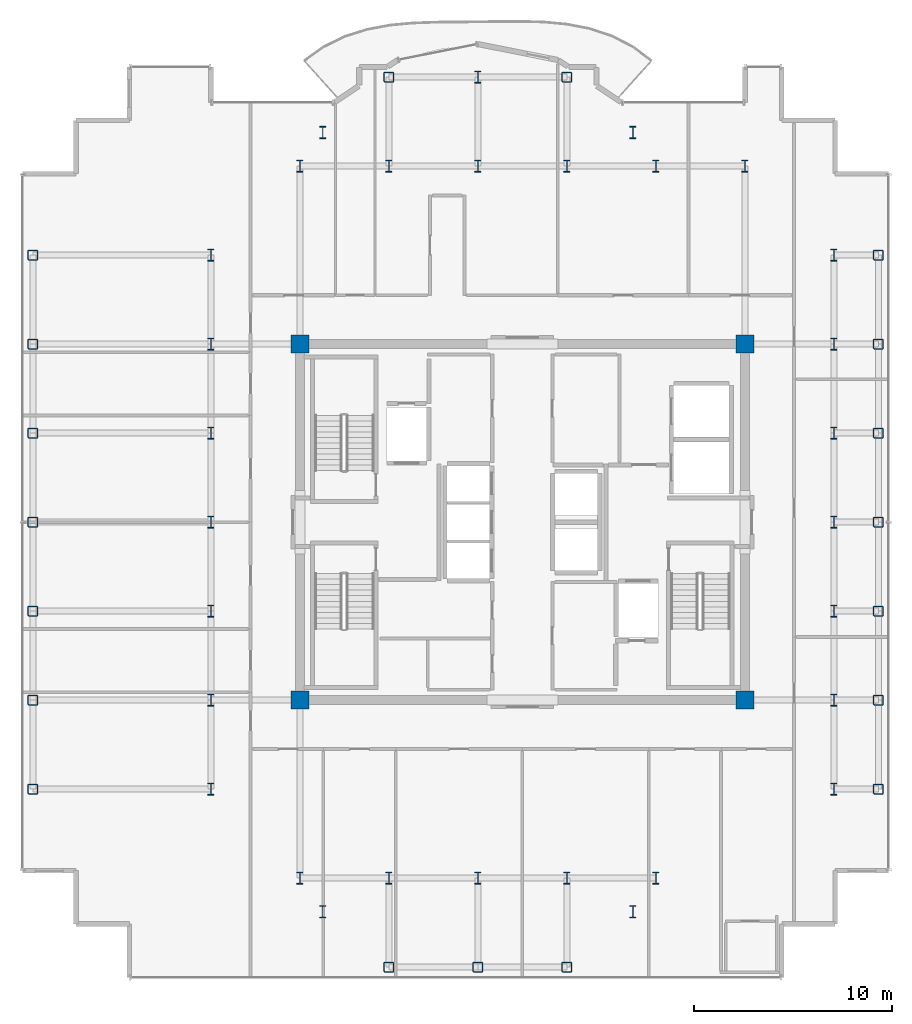
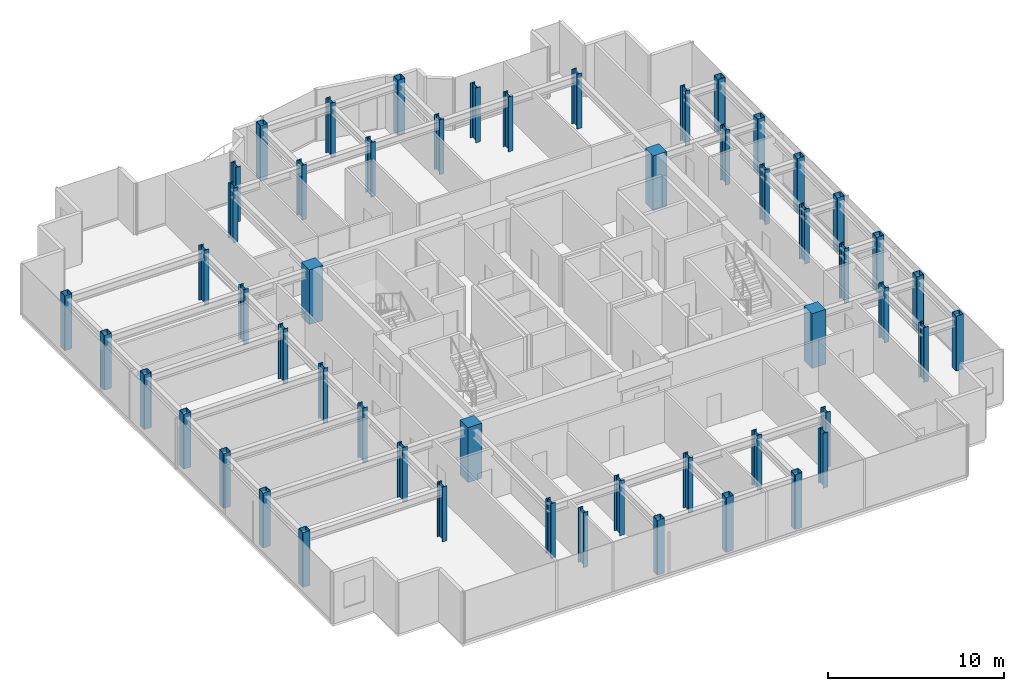
# One storey, part 1 of 18: 53 columns.
"""IFC4 building model written with IfcOpenShell, lengths in metres."""

from ifc_helpers import new_model, si_unit, direction, frame, origin, origin_2d, place, context, subcontext, project, spatial, rectangle, hollow_rectangle, i_section, extrude, source, transform, mapped, material, material_profile, profile_set, type_object, element, save


model = new_model("IFC4")

# Units and contexts
model_context = context("Model", 3, precision=1e-05, world=origin(), true_north=direction((0.0, 1.0)))
body_context = subcontext(model_context, "Body", "Model", "MODEL_VIEW")
ifc_project = project(units=[si_unit("LENGTHUNIT", "METRE"), si_unit("AREAUNIT", "SQUARE_METRE"), si_unit("VOLUMEUNIT", "CUBIC_METRE"), si_unit("PLANEANGLEUNIT", "RADIAN"), si_unit("MASSUNIT", "GRAM", prefix="KILO")], contexts=[model_context])

# Site, building, storey
site_placement = place(None, origin())
site = spatial("IfcSite", under=ifc_project, at=site_placement, CompositionType="ELEMENT")
building_placement = place(site_placement, origin())
building = spatial("IfcBuilding", under=site, at=building_placement, Name="Nefas-Gora Pilgrimage Tower", CompositionType="ELEMENT")
storey_placement = place(building_placement, frame((0.0, 0.0, 306.39990234375)))
storey = spatial("IfcBuildingStorey", under=building, at=storey_placement, Name="L77", CompositionType="ELEMENT", Elevation=306.39990234375)

# Columns
ifc_material_1 = material(Name="Steel S355", Category="steel")
ifc_material_profile_1 = material_profile(ifc_material_1, i_section(OverallWidth=0.304931640625, OverallDepth=0.6201171875, WebThickness=0.02099609375, FlangeThickness=0.0400390625, FilletRadius=0.027099609375, at=origin_2d()), Name="HEM 600")
ifc_profile_set_1 = profile_set([ifc_material_profile_1], Name="Steel S355")
column_type_1 = type_object("IfcColumnType", Name="COL-WEB-HEM600", PredefinedType="COLUMN", material=ifc_profile_set_1)
shared_shape_1 = source(origin(), body_context, "Body", "SweptSolid", [
    extrude(i_section(OverallWidth=0.304931640625, OverallDepth=0.6201171875, WebThickness=0.02099609375, FlangeThickness=0.0400390625, FilletRadius=0.027099609375, at=origin_2d()), origin(), (0.0, 0.0, 1.0), 3.800048828125),
])
for number, where, z_axis, x_axis, name in (
    (1, (-15.75, -13.5, 0.0), (0.0, 0.0, 1.0), (1.0, 0.0, 0.0), "L77 Tower Column CW-03.8"),
    (2, (-15.75, -9.0, 0.0), (0.0, 0.0, 1.0), (1.0, 0.0, 0.0), "L77 Tower Column CW-03.9"),
    (3, (-15.75, -4.5, 0.0), (0.0, 0.0, 1.0), (1.0, 0.0, 0.0), "L77 Tower Column CW-03.10"),
    (4, (-15.75, 0.0, 0.0), (0.0, 0.0, 1.0), (1.0, 0.0, 0.0), "L77 Tower Column CW-03.11"),
    (5, (-15.75, 4.5, 0.0), (0.0, 0.0, 1.0), (1.0, 0.0, 0.0), "L77 Tower Column CW-03.12"),
    (6, (-15.75, 9.0, 0.0), (0.0, 0.0, 1.0), (1.0, 0.0, 0.0), "L77 Tower Column CW-03.13"),
    (7, (-15.75, 13.5, 0.0), (0.0, 0.0, 1.0), (1.0, 0.0, 0.0), "L77 Tower Column CW-03.14"),
    (8, (-11.25, -18.0, 0.0), (0.0, 0.0, 1.0), (1.0, 0.0, 0.0), "L77 Tower Column CW-03.15"),
    (9, (-11.25, 18.0, 0.0), (0.0, 0.0, 1.0), (1.0, 0.0, 0.0), "L77 Tower Column CW-03.18"),
    (10, (-10.091064453125, -19.696044921875, 0.0), (0.0, 0.0, 1.0), (1.0, 0.0, 0.0), "L77 Tower Column CW-03.19"),
    (11, (-10.091064453125, 19.696044921875, 0.0), (0.0, 0.0, 1.0), (1.0, 0.0, 0.0), "L77 Tower Column CW-03.20"),
    (12, (-6.75, -18.0, 0.0), (0.0, 0.0, 1.0), (1.0, 0.0, 0.0), "L77 Tower Column CW-03.22"),
    (13, (-6.75, 18.0, 0.0), (0.0, 0.0, 1.0), (1.0, 0.0, 0.0), "L77 Tower Column CW-03.23"),
    (14, (-2.25, -18.0, 0.0), (0.0, 0.0, 1.0), (1.0, 0.0, 0.0), "L77 Tower Column CW-03.26"),
    (15, (-2.25, 18.0, 0.0), (0.0, 0.0, 1.0), (1.0, 0.0, 0.0), "L77 Tower Column CW-03.27"),
    (16, (-2.25, 22.5, 0.0), (0.0, 0.0, 1.0), (1.0, 0.0, 0.0), "L77 Tower Column CW-03.28"),
    (17, (2.25, -18.0, 0.0), (0.0, 0.0, 1.0), (1.0, 0.0, 0.0), "L77 Tower Column CW-03.30"),
    (18, (2.25, 18.0, 0.0), (0.0, 0.0, 1.0), (1.0, 0.0, 0.0), "L77 Tower Column CW-03.31"),
    (19, (5.591064453125, -19.696044921875, 0.0), (0.0, 0.0, 1.0), (1.0, 0.0, 0.0), "L77 Tower Column CW-03.33"),
    (20, (5.591064453125, 19.696044921875, 0.0), (0.0, 0.0, 1.0), (1.0, 0.0, 0.0), "L77 Tower Column CW-03.34"),
    (21, (6.75, -18.0, 0.0), (0.0, 0.0, 1.0), (1.0, 0.0, 0.0), "L77 Tower Column CW-03.35"),
    (22, (6.75, 18.0, 0.0), (0.0, 0.0, 1.0), (1.0, 0.0, 0.0), "L77 Tower Column CW-03.36"),
    (23, (11.25, 18.0, 0.0), (0.0, 0.0, 1.0), (1.0, 0.0, 0.0), "L77 Tower Column CW-03.39"),
    (24, (15.75, -13.5, 0.0), (0.0, 0.0, 1.0), (1.0, 0.0, 0.0), "L77 Tower Column CW-03.40"),
    (25, (15.75, -9.0, 0.0), (0.0, 0.0, 1.0), (1.0, 0.0, 0.0), "L77 Tower Column CW-03.41"),
    (26, (15.75, -4.5, 0.0), (0.0, 0.0, 1.0), (1.0, 0.0, 0.0), "L77 Tower Column CW-03.42"),
    (27, (15.75, 0.0, 0.0), (0.0, 0.0, 1.0), (1.0, 0.0, 0.0), "L77 Tower Column CW-03.43"),
    (28, (15.75, 4.5, 0.0), (0.0, 0.0, 1.0), (1.0, 0.0, 0.0), "L77 Tower Column CW-03.44"),
    (29, (15.75, 9.0, 0.0), (0.0, 0.0, 1.0), (1.0, 0.0, 0.0), "L77 Tower Column CW-03.45"),
    (30, (15.75, 13.5, 0.0), (0.0, 0.0, 1.0), (1.0, 0.0, 0.0), "L77 Tower Column CW-03.46"),
):
    element("IfcColumn", number, at=place(storey_placement, frame(where, z_axis=z_axis, x_axis=x_axis)), inside=storey, type_object=column_type_1, Name=name, PredefinedType="COLUMN", context=body_context, shape_type="MappedRepresentation", body=[
        mapped(shared_shape_1, transform((0.0, 0.0, 0.0), x_axis=(1.0, 0.0, 0.0), y_axis=(0.0, 1.0, 0.0), z_axis=(0.0, 0.0, 1.0), scale=1.0)),
    ])
ifc_material_profile_2 = material_profile(ifc_material_1, hollow_rectangle(XDim=0.5, YDim=0.5, WallThickness=0.02490234375, InnerFilletRadius=0.02490234375, OuterFilletRadius=0.050048828125, at=origin_2d()), Name="SHS 500x500x25")
ifc_profile_set_2 = profile_set([ifc_material_profile_2], Name="Steel S355")
column_type_2 = type_object("IfcColumnType", Name="COL-TUBE-500", PredefinedType="COLUMN", material=ifc_profile_set_2)
shared_shape_2 = source(origin(), body_context, "Body", "SweptSolid", [
    extrude(hollow_rectangle(XDim=0.5, YDim=0.5, WallThickness=0.02490234375, InnerFilletRadius=0.02490234375, OuterFilletRadius=0.050048828125, at=origin_2d()), origin(), (0.0, 0.0, 1.0), 3.800048828125),
])
for number, where, z_axis, x_axis, name in (
    (31, (-24.75, -13.5, 0.0), (0.0, 0.0, 1.0), (1.0, 0.0, 0.0), "L77 Tower Column C-Z4.1"),
    (32, (-24.75, -9.0, 0.0), (0.0, 0.0, 1.0), (1.0, 0.0, 0.0), "L77 Tower Column C-Z4.2"),
    (33, (-24.75, -4.5, 0.0), (0.0, 0.0, 1.0), (1.0, 0.0, 0.0), "L77 Tower Column C-Z4.3"),
    (34, (-24.75, 0.0, 0.0), (0.0, 0.0, 1.0), (1.0, 0.0, 0.0), "L77 Tower Column C-Z4.4"),
    (35, (-24.75, 4.5, 0.0), (0.0, 0.0, 1.0), (1.0, 0.0, 0.0), "L77 Tower Column C-Z4.5"),
    (36, (-24.75, 9.0, 0.0), (0.0, 0.0, 1.0), (1.0, 0.0, 0.0), "L77 Tower Column C-Z4.6"),
    (37, (-24.75, 13.5, 0.0), (0.0, 0.0, 1.0), (1.0, 0.0, 0.0), "L77 Tower Column C-Z4.7"),
    (38, (-6.75, -22.5, 0.0), (0.0, 0.0, 1.0), (1.0, 0.0, 0.0), "L77 Tower Column C-Z4.21"),
    (39, (-6.75, 22.5, 0.0), (0.0, 0.0, 1.0), (1.0, 0.0, 0.0), "L77 Tower Column C-Z4.24"),
    (40, (-2.25, -22.5, 0.0), (0.0, 0.0, 1.0), (1.0, 0.0, 0.0), "L77 Tower Column C-Z4.25"),
    (41, (2.25, -22.5, 0.0), (0.0, 0.0, 1.0), (1.0, 0.0, 0.0), "L77 Tower Column C-Z4.29"),
    (42, (2.25, 22.5, 0.0), (0.0, 0.0, 1.0), (1.0, 0.0, 0.0), "L77 Tower Column C-Z4.32"),
    (43, (18.0, -13.5, 0.0), (0.0, 0.0, 1.0), (1.0, 0.0, 0.0), "L77 Tower Column C-Z4.47"),
    (44, (18.0, -9.0, 0.0), (0.0, 0.0, 1.0), (1.0, 0.0, 0.0), "L77 Tower Column C-Z4.48"),
    (45, (18.0, -4.5, 0.0), (0.0, 0.0, 1.0), (1.0, 0.0, 0.0), "L77 Tower Column C-Z4.49"),
    (46, (18.0, 0.0, 0.0), (0.0, 0.0, 1.0), (1.0, 0.0, 0.0), "L77 Tower Column C-Z4.50"),
    (47, (18.0, 4.5, 0.0), (0.0, 0.0, 1.0), (1.0, 0.0, 0.0), "L77 Tower Column C-Z4.51"),
    (48, (18.0, 9.0, 0.0), (0.0, 0.0, 1.0), (1.0, 0.0, 0.0), "L77 Tower Column C-Z4.52"),
    (49, (18.0, 13.5, 0.0), (0.0, 0.0, 1.0), (1.0, 0.0, 0.0), "L77 Tower Column C-Z4.53"),
):
    element("IfcColumn", number, at=place(storey_placement, frame(where, z_axis=z_axis, x_axis=x_axis)), inside=storey, type_object=column_type_2, Name=name, PredefinedType="COLUMN", context=body_context, shape_type="MappedRepresentation", body=[
        mapped(shared_shape_2, transform((0.0, 0.0, 0.0), x_axis=(1.0, 0.0, 0.0), y_axis=(0.0, 1.0, 0.0), z_axis=(0.0, 0.0, 1.0), scale=1.0)),
    ])
ifc_material_2 = material(Name="Concrete C50/60", Category="concrete")
ifc_material_profile_3 = material_profile(ifc_material_2, rectangle(XDim=0.89990234375, YDim=0.89990234375, at=origin_2d()), Name="RC 900x900")
ifc_profile_set_3 = profile_set([ifc_material_profile_3], Name="Concrete C50/60")
column_type_3 = type_object("IfcColumnType", Name="COL-RC-900", PredefinedType="COLUMN", material=ifc_profile_set_3)
shared_shape_3 = source(origin(), body_context, "Body", "SweptSolid", [
    extrude(rectangle(XDim=0.89990234375, YDim=0.89990234375, at=origin_2d()), origin(), (0.0, 0.0, 1.0), 3.800048828125),
])
for number, where, z_axis, x_axis, name in (
    (50, (-11.25, -9.0, 0.0), (0.0, 0.0, 1.0), (1.0, 0.0, 0.0), "L77 Tower Column CRC-02.16"),
    (51, (-11.25, 9.0, 0.0), (0.0, 0.0, 1.0), (1.0, 0.0, 0.0), "L77 Tower Column CRC-02.17"),
    (52, (11.25, -9.0, 0.0), (0.0, 0.0, 1.0), (1.0, 0.0, 0.0), "L77 Tower Column CRC-02.37"),
    (53, (11.25, 9.0, 0.0), (0.0, 0.0, 1.0), (1.0, 0.0, 0.0), "L77 Tower Column CRC-02.38"),
):
    element("IfcColumn", number, at=place(storey_placement, frame(where, z_axis=z_axis, x_axis=x_axis)), inside=storey, type_object=column_type_3, Name=name, PredefinedType="COLUMN", context=body_context, shape_type="MappedRepresentation", body=[
        mapped(shared_shape_3, transform((0.0, 0.0, 0.0), x_axis=(1.0, 0.0, 0.0), y_axis=(0.0, 1.0, 0.0), z_axis=(0.0, 0.0, 1.0), scale=1.0)),
    ])

save(model, "model.ifc")
